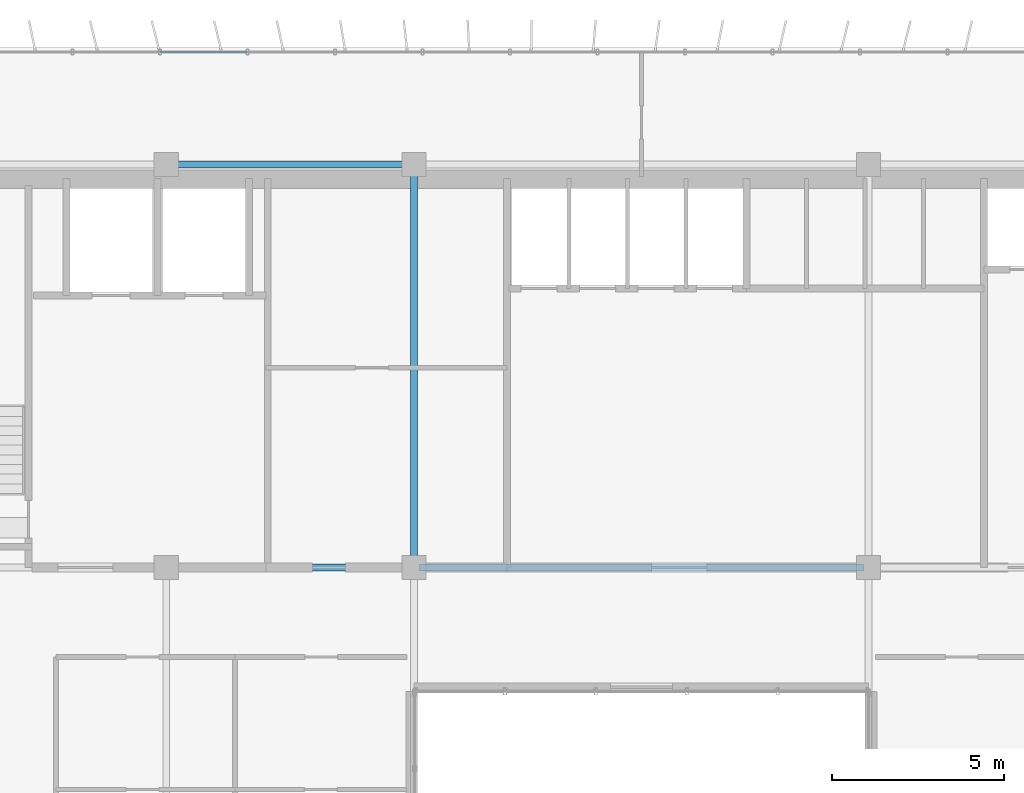
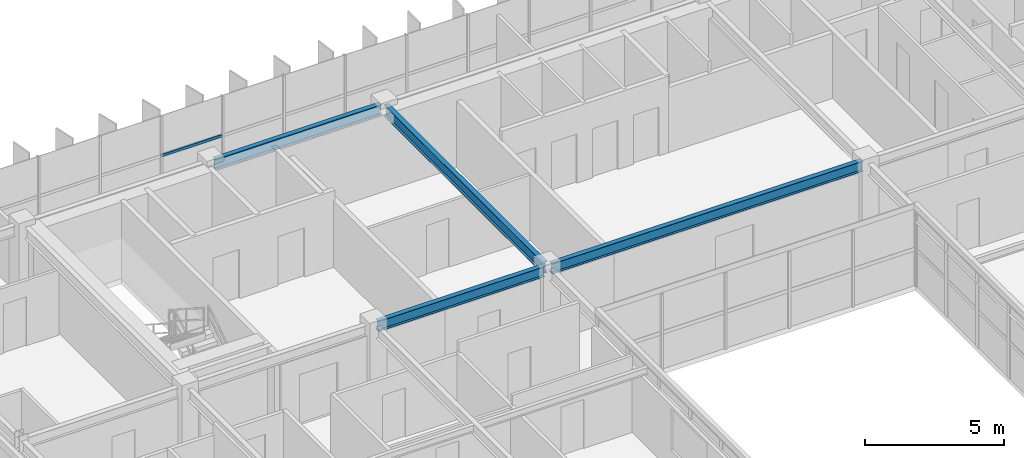
# One storey, part 18 of 35: 4 beams, 1 member, 1 element without a shape of its own.
"""IFC4 building model written with IfcOpenShell, lengths in metres."""

from ifc_helpers import new_model, si_unit, direction, frame, origin, origin_2d, place, context, subcontext, project, spatial, hollow_rectangle, i_section, extrude, source, transform, mapped, material, material_profile, profile_set, type_object, element, aggregate, save


model = new_model("IFC4")

# Units and contexts
model_context = context("Model", 3, precision=1e-05, world=origin(), true_north=direction((0.0, 1.0)))
body_context = subcontext(model_context, "Body", "Model", "MODEL_VIEW")
ifc_project = project(units=[si_unit("LENGTHUNIT", "METRE"), si_unit("AREAUNIT", "SQUARE_METRE"), si_unit("VOLUMEUNIT", "CUBIC_METRE"), si_unit("PLANEANGLEUNIT", "RADIAN"), si_unit("MASSUNIT", "GRAM", prefix="KILO")], contexts=[model_context])

# Site, building, storey
site_placement = place(None, origin())
site = spatial("IfcSite", under=ifc_project, at=site_placement, CompositionType="ELEMENT")
building_placement = place(site_placement, origin())
building = spatial("IfcBuilding", under=site, at=building_placement, Name="Trelvane Seafront Commons", CompositionType="ELEMENT")
storey_placement = place(building_placement, frame((0.0, 0.0, 194.10009765625)))
storey = spatial("IfcBuildingStorey", under=building, at=storey_placement, Name="L50", CompositionType="ELEMENT", Elevation=194.10009765625)

# Beams
ifc_material_1 = material(Name="Steel SM355 (S355)", Category="steel")
ifc_material_profile_1 = material_profile(ifc_material_1, i_section(OverallWidth=0.199951171875, OverallDepth=0.5, WebThickness=0.010009765625, FlangeThickness=0.01611328125, at=origin_2d()), Name="H-500x200x10x16")
ifc_profile_set_1 = profile_set([ifc_material_profile_1], Name="Steel SM355 (S355)")
beam_type_1 = type_object("IfcBeamType", Name="STR-BM-H500", PredefinedType="BEAM", material=ifc_profile_set_1)
shared_shape_1 = source(origin(), body_context, "Body", "SweptSolid", [
    extrude(i_section(OverallWidth=0.199951171875, OverallDepth=0.5, WebThickness=0.010009765625, FlangeThickness=0.01611328125, at=origin_2d()), origin(), (0.0, 0.0, 1.0), 11.39990234375),
])
beam_1_placement = place(storey_placement, frame((30.60009765625, 33.550048828125, 3.10986328125), z_axis=(0.0, 1.0, 0.0), x_axis=(-1.0, 0.0, 0.0)))
element("IfcBeam", 1, at=beam_1_placement, inside=storey, type_object=beam_type_1, Name="L50 Primary Girder G-40", PredefinedType="BEAM", context=body_context, shape_type="MappedRepresentation", body=[
    mapped(shared_shape_1, transform((0.0, 0.0, 0.0), x_axis=(1.0, 0.0, 0.0), y_axis=(0.0, 1.0, 0.0), z_axis=(0.0, 0.0, 1.0), scale=1.0)),
])
ifc_material_profile_2 = material_profile(ifc_material_1, i_section(OverallWidth=0.199951171875, OverallDepth=0.449951171875, WebThickness=0.009033203125, FlangeThickness=0.013916015625, at=origin_2d()), Name="H-450x200x9x14")
ifc_profile_set_2 = profile_set([ifc_material_profile_2], Name="Steel SM355 (S355)")
beam_type_2 = type_object("IfcBeamType", Name="STR-SPD-H450", PredefinedType="SPANDREL", material=ifc_profile_set_2)
shared_shape_2 = source(origin(), body_context, "Body", "SweptSolid", [
    extrude(i_section(OverallWidth=0.199951171875, OverallDepth=0.449951171875, WebThickness=0.009033203125, FlangeThickness=0.013916015625, at=origin_2d()), origin(), (0.0, 0.0, 1.0), 6.89990234375),
])
for number, where, z_axis, x_axis, name in (
    (2, (23.550048828125, 33.39990234375, 3.135009765625), (1.0, 0.0, 0.0), (0.0, 1.0, 0.0), "L50 Primary Girder G-17"),
    (3, (23.550048828125, 45.10009765625, 3.135009765625), (1.0, 0.0, 0.0), (0.0, 1.0, 0.0), "L50 Primary Girder G-24"),
):
    element("IfcBeam", number, at=place(storey_placement, frame(where, z_axis=z_axis, x_axis=x_axis)), inside=storey, type_object=beam_type_2, Name=name, PredefinedType="SPANDREL", context=body_context, shape_type="MappedRepresentation", body=[
        mapped(shared_shape_2, transform((0.0, 0.0, 0.0), x_axis=(1.0, 0.0, 0.0), y_axis=(0.0, 1.0, 0.0), z_axis=(0.0, 0.0, 1.0), scale=1.0)),
    ])
shared_shape_3 = source(origin(), body_context, "Body", "SweptSolid", [
    extrude(i_section(OverallWidth=0.199951171875, OverallDepth=0.449951171875, WebThickness=0.009033203125, FlangeThickness=0.013916015625, at=origin_2d()), origin(), (0.0, 0.0, 1.0), 12.89990234375),
])
beam_2_placement = place(storey_placement, frame((30.75, 33.39990234375, 3.135009765625), z_axis=(1.0, 0.0, 0.0), x_axis=(0.0, 1.0, 0.0)))
element("IfcBeam", 4, at=beam_2_placement, inside=storey, type_object=beam_type_2, Name="L50 Primary Girder G-18", PredefinedType="SPANDREL", context=body_context, shape_type="MappedRepresentation", body=[
    mapped(shared_shape_3, transform((0.0, 0.0, 0.0), x_axis=(1.0, 0.0, 0.0), y_axis=(0.0, 1.0, 0.0), z_axis=(0.0, 0.0, 1.0), scale=1.0)),
])

# Curtain wall, member
ifc_material_2 = material(Name="Anodised pale-silver aluminium", Category="aluminium")
curtain_wall_type = type_object("IfcCurtainWallType", Name="ARCH-CW5-UPTOWER", PredefinedType="NOTDEFINED", material=ifc_material_2)
curtain_wall_placement = place(storey_placement, origin())
curtain_wall = element("IfcCurtainWall", 5, at=curtain_wall_placement, inside=storey, type_object=curtain_wall_type, Name="CW-L50-0078", PredefinedType="NOTDEFINED")
ifc_material_profile_3 = material_profile(ifc_material_2, hollow_rectangle(XDim=0.070068359375, YDim=0.1201171875, WallThickness=0.00390625, at=origin_2d()), Name="TRAN-70x120x4")
ifc_profile_set_3 = profile_set([ifc_material_profile_3], Name="Anodised pale-silver aluminium")
member_type = type_object("IfcMemberType", Name="ARCH-CW-TRAN-120", PredefinedType="USERDEFINED", material=ifc_profile_set_3)
shared_shape_4 = source(origin(), body_context, "Body", "SweptSolid", [
    extrude(hollow_rectangle(XDim=0.070068359375, YDim=0.1201171875, WallThickness=0.00390625, at=origin_2d()), origin(), (0.0, 0.0, 1.0), 2.51708984375),
])
member_placement = place(storey_placement, frame((23.235595703125, 48.3701171875, 1.61279296875), z_axis=(1.0, 0.0, 0.0), x_axis=(0.0, 1.0, 0.0)))
member = element("IfcMember", 6, at=member_placement, type_object=member_type, Name="CW-L50-0078-T03", ObjectType="TRANSOM", PredefinedType="USERDEFINED", context=body_context, shape_type="MappedRepresentation", body=[
    mapped(shared_shape_4, transform((0.0, 0.0, 0.0), x_axis=(1.0, 0.0, 0.0), y_axis=(0.0, 1.0, 0.0), z_axis=(0.0, 0.0, 1.0), scale=1.0)),
])
aggregate(curtain_wall, [member])

save(model, "model.ifc")
